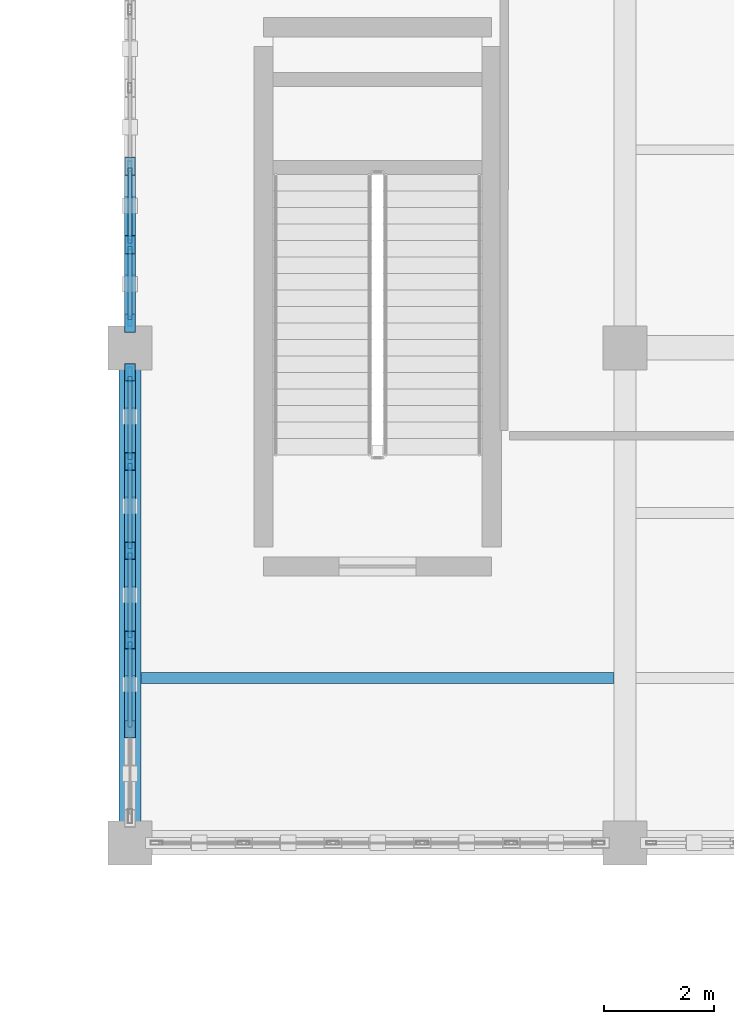
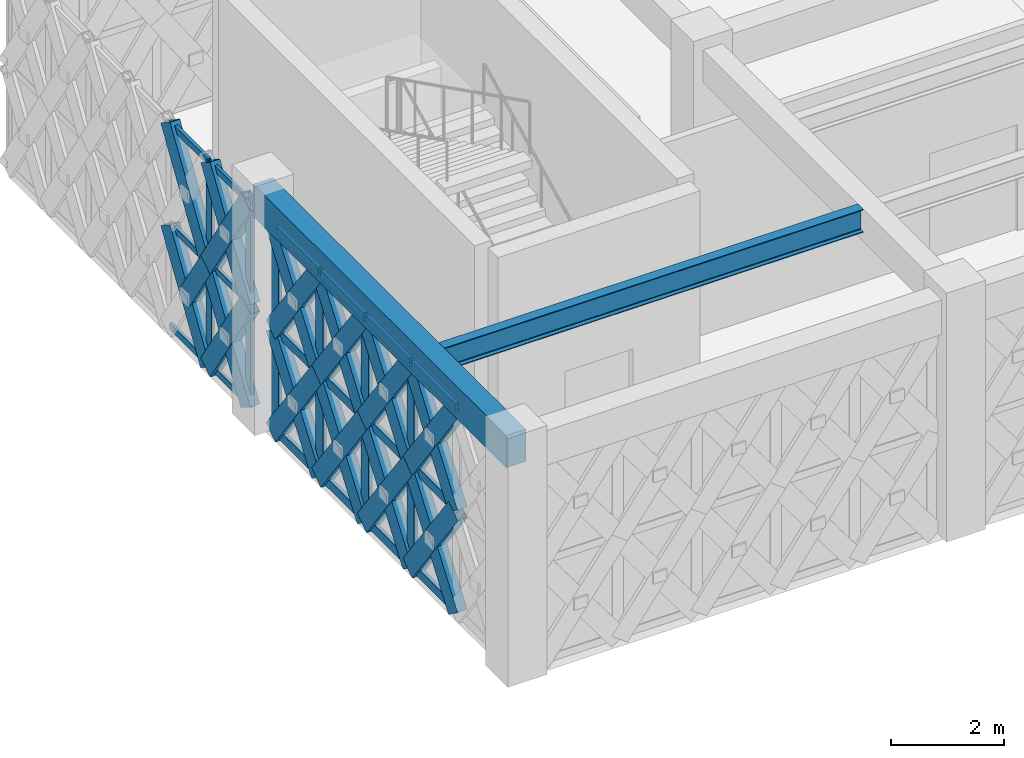
# One storey, part 32 of 86: 57 members, 2 beams, 2 elements without a shape of their own.
"""IFC4 building model written with IfcOpenShell, lengths in metres."""

from ifc_helpers import new_model, si_unit, direction, frame, origin, origin_2d, place, context, subcontext, project, spatial, rectangle, hollow_rectangle, i_section, extrude, material, material_profile, profile_set, type_object, element, aggregate, save


model = new_model("IFC4")

# Units and contexts
model_context = context("Model", 3, precision=1e-05, world=origin(), true_north=direction((0.0, 1.0)))
body_context = subcontext(model_context, "Body", "Model", "MODEL_VIEW")
ifc_project = project(units=[si_unit("LENGTHUNIT", "METRE"), si_unit("AREAUNIT", "SQUARE_METRE"), si_unit("VOLUMEUNIT", "CUBIC_METRE"), si_unit("PLANEANGLEUNIT", "RADIAN"), si_unit("MASSUNIT", "GRAM", prefix="KILO")], contexts=[model_context])

# Site, building, storey
site_placement = place(None, origin())
site = spatial("IfcSite", under=ifc_project, at=site_placement, CompositionType="ELEMENT")
building_placement = place(site_placement, origin())
building = spatial("IfcBuilding", under=site, at=building_placement, Name="Haizhuo Lancet Aquarium", CompositionType="ELEMENT")
storey_placement = place(building_placement, frame((0.0, 0.0, 16.199951171875)))
storey = spatial("IfcBuildingStorey", under=building, at=storey_placement, Name="L03", CompositionType="ELEMENT", Elevation=16.199951171875)

# Beam
ifc_material_1 = material(Name="Concrete C40/50", Category="concrete")
ifc_material_profile_1 = material_profile(ifc_material_1, rectangle(XDim=0.39990234375, YDim=0.699951171875, at=origin_2d()), Name="RC-BM 400x700")
ifc_profile_set_1 = profile_set([ifc_material_profile_1], Name="Concrete C40/50")
beam_type_1 = type_object("IfcBeamType", Name="BM-RC-400x700", PredefinedType="BEAM", material=ifc_profile_set_1)
beam_1_placement = place(storey_placement, frame((-27.0, 36.0, 4.800048828125), z_axis=(0.0, 1.0, 0.0), x_axis=(-1.0, 0.0, 0.0)))
element("IfcBeam", 1, at=beam_1_placement, inside=storey, type_object=beam_type_1, Name="L03 V5 primary girder BM-L03-V5-001", PredefinedType="BEAM", context=body_context, shape_type="SweptSolid", body=[
    extrude(rectangle(XDim=0.39990234375, YDim=0.699951171875, at=origin_2d()), origin(), (0.0, 0.0, 1.0), 9.0),
])

# Curtain wall, members
ifc_material_2 = material(Name="Aluminium 6063-T6", Category="aluminium")
curtain_wall_type_1 = type_object("IfcCurtainWallType", Name="CWD-8560x4450", PredefinedType="NOTDEFINED", material=ifc_material_2)
curtain_wall_1_placement = place(storey_placement, origin())
curtain_wall_1 = element("IfcCurtainWall", 2, at=curtain_wall_1_placement, inside=storey, type_object=curtain_wall_type_1, Name="L03 curtain wall CW-V5-L03-175", PredefinedType="NOTDEFINED")
ifc_material_profile_2 = material_profile(ifc_material_2, hollow_rectangle(XDim=0.06494140625, YDim=0.179931640625, WallThickness=0.00390625, at=origin_2d()), Name="ALU-M 65x180x4")
ifc_profile_set_2 = profile_set([ifc_material_profile_2], Name="Aluminium 6063-T6")
member_type_1 = type_object("IfcMemberType", Name="CW-MUL-1", PredefinedType="MULLION", material=ifc_profile_set_2)
member_1_placement = place(storey_placement, frame((-27.0, 45.47705078125, 0.0), z_axis=(0.0, 0.0, 1.0), x_axis=(-1.0, 0.0, 0.0)))
member_1 = element("IfcMember", 3, at=member_1_placement, type_object=member_type_1, Name="CWD-85x44 mullion 1", PredefinedType="MULLION", context=body_context, shape_type="SweptSolid", body=[
    extrude(hollow_rectangle(XDim=0.06494140625, YDim=0.179931640625, WallThickness=0.00390625, at=origin_2d()), origin(), (0.0, 0.0, 1.0), 4.449951171875),
])
member_2_placement = place(storey_placement, frame((-27.0, 46.87109375, 0.0), z_axis=(0.0, 0.0, 1.0), x_axis=(-1.0, 0.0, 0.0)))
member_2 = element("IfcMember", 4, at=member_2_placement, type_object=member_type_1, Name="CWD-85x44 mullion 2", PredefinedType="MULLION", context=body_context, shape_type="SweptSolid", body=[
    extrude(hollow_rectangle(XDim=0.06494140625, YDim=0.179931640625, WallThickness=0.00390625, at=origin_2d()), origin(), (0.0, 0.0, 1.0), 4.449951171875),
])

curtain_wall_type_2 = type_object("IfcCurtainWallType", Name="CWD-8110x4450", PredefinedType="NOTDEFINED", material=ifc_material_2)
curtain_wall_2_placement = place(storey_placement, origin())
curtain_wall_2 = element("IfcCurtainWall", 5, at=curtain_wall_2_placement, inside=storey, type_object=curtain_wall_type_2, Name="L03 curtain wall CW-V5-L03-174", PredefinedType="NOTDEFINED")
ifc_material_profile_3 = material_profile(ifc_material_2, hollow_rectangle(XDim=0.080078125, YDim=0.260009765625, WallThickness=0.0048828125, at=origin_2d()), Name="ALU-M 80x260x5")
ifc_profile_set_3 = profile_set([ifc_material_profile_3], Name="Aluminium 6063-T6")
member_type_2 = type_object("IfcMemberType", Name="CW-MUL-3", PredefinedType="MULLION", material=ifc_profile_set_3)
member_3_placement = place(storey_placement, frame((-27.0, 39.68896484375, 0.0), z_axis=(0.0, 0.0, 1.0), x_axis=(-1.0, 0.0, 0.0)))
member_3 = element("IfcMember", 6, at=member_3_placement, type_object=member_type_2, Name="CWD-81x44 mullion 3", PredefinedType="MULLION", context=body_context, shape_type="SweptSolid", body=[
    extrude(hollow_rectangle(XDim=0.080078125, YDim=0.260009765625, WallThickness=0.0048828125, at=origin_2d()), origin(), (0.0, 0.0, 1.0), 4.449951171875),
])
member_4_placement = place(storey_placement, frame((-27.0, 41.31103515625, 0.0), z_axis=(0.0, 0.0, 1.0), x_axis=(-1.0, 0.0, 0.0)))
member_4 = element("IfcMember", 7, at=member_4_placement, type_object=member_type_2, Name="CWD-81x44 mullion 4", PredefinedType="MULLION", context=body_context, shape_type="SweptSolid", body=[
    extrude(hollow_rectangle(XDim=0.080078125, YDim=0.260009765625, WallThickness=0.0048828125, at=origin_2d()), origin(), (0.0, 0.0, 1.0), 4.449951171875),
])
member_5_placement = place(storey_placement, frame((-27.0, 42.93310546875, 0.0), z_axis=(0.0, 0.0, 1.0), x_axis=(-1.0, 0.0, 0.0)))
member_5 = element("IfcMember", 8, at=member_5_placement, type_object=member_type_2, Name="CWD-81x44 mullion 5", PredefinedType="MULLION", context=body_context, shape_type="SweptSolid", body=[
    extrude(hollow_rectangle(XDim=0.080078125, YDim=0.260009765625, WallThickness=0.0048828125, at=origin_2d()), origin(), (0.0, 0.0, 1.0), 4.449951171875),
])
member_6_placement = place(storey_placement, frame((-27.0, 44.514892578125, 0.0), z_axis=(0.0, 0.0, 1.0), x_axis=(-1.0, 0.0, 0.0)))
member_6 = element("IfcMember", 9, at=member_6_placement, type_object=member_type_2, Name="CWD-81x44 mullion 6", PredefinedType="MULLION", context=body_context, shape_type="SweptSolid", body=[
    extrude(hollow_rectangle(XDim=0.080078125, YDim=0.260009765625, WallThickness=0.0048828125, at=origin_2d()), origin(), (0.0, 0.0, 1.0), 4.449951171875),
])

# Member
ifc_material_profile_4 = material_profile(ifc_material_2, hollow_rectangle(XDim=0.06494140625, YDim=0.139892578125, WallThickness=0.00390625, at=origin_2d()), Name="ALU-T 65x140x4")
ifc_profile_set_4 = profile_set([ifc_material_profile_4], Name="Aluminium 6063-T6")
member_type_3 = type_object("IfcMemberType", Name="CW-TRN-1", PredefinedType="NOTDEFINED", material=ifc_profile_set_4)
member_7_placement = place(storey_placement, frame((-27.0, 45.510009765625, 0.031982421875), z_axis=(0.0, 1.0, 0.0), x_axis=(-1.0, 0.0, 0.0)))
member_7 = element("IfcMember", 10, at=member_7_placement, type_object=member_type_3, Name="CWD-85x44 transom 1.1", ObjectType="TRANSOM", PredefinedType="USERDEFINED", context=body_context, shape_type="SweptSolid", body=[
    extrude(hollow_rectangle(XDim=0.06494140625, YDim=0.139892578125, WallThickness=0.00390625, at=origin_2d()), origin(), (0.0, 0.0, 1.0), 1.327880859375),
])

member_8_placement = place(storey_placement, frame((-27.0, 45.510009765625, 2.22509765625), z_axis=(0.0, 1.0, 0.0), x_axis=(-1.0, 0.0, 0.0)))
member_8 = element("IfcMember", 11, at=member_8_placement, type_object=member_type_3, Name="CWD-85x44 transom 1.2", ObjectType="TRANSOM", PredefinedType="USERDEFINED", context=body_context, shape_type="SweptSolid", body=[
    extrude(hollow_rectangle(XDim=0.06494140625, YDim=0.139892578125, WallThickness=0.00390625, at=origin_2d()), origin(), (0.0, 0.0, 1.0), 1.327880859375),
])

member_9_placement = place(storey_placement, frame((-27.0, 45.510009765625, 4.4169921875), z_axis=(0.0, 1.0, 0.0), x_axis=(-1.0, 0.0, 0.0)))
member_9 = element("IfcMember", 12, at=member_9_placement, type_object=member_type_3, Name="CWD-85x44 transom 1.3", ObjectType="TRANSOM", PredefinedType="USERDEFINED", context=body_context, shape_type="SweptSolid", body=[
    extrude(hollow_rectangle(XDim=0.06494140625, YDim=0.139892578125, WallThickness=0.00390625, at=origin_2d()), origin(), (0.0, 0.0, 1.0), 1.327880859375),
])

member_10_placement = place(storey_placement, frame((-27.0, 46.903076171875, 0.031982421875), z_axis=(0.0, 1.0, 0.0), x_axis=(-1.0, 0.0, 0.0)))
member_10 = element("IfcMember", 13, at=member_10_placement, type_object=member_type_3, Name="CWD-85x44 transom 2.1", ObjectType="TRANSOM", PredefinedType="USERDEFINED", context=body_context, shape_type="SweptSolid", body=[
    extrude(hollow_rectangle(XDim=0.06494140625, YDim=0.139892578125, WallThickness=0.00390625, at=origin_2d()), origin(), (0.0, 0.0, 1.0), 1.36083984375),
])

member_11_placement = place(storey_placement, frame((-27.0, 46.903076171875, 2.22509765625), z_axis=(0.0, 1.0, 0.0), x_axis=(-1.0, 0.0, 0.0)))
member_11 = element("IfcMember", 14, at=member_11_placement, type_object=member_type_3, Name="CWD-85x44 transom 2.2", ObjectType="TRANSOM", PredefinedType="USERDEFINED", context=body_context, shape_type="SweptSolid", body=[
    extrude(hollow_rectangle(XDim=0.06494140625, YDim=0.139892578125, WallThickness=0.00390625, at=origin_2d()), origin(), (0.0, 0.0, 1.0), 1.36083984375),
])

member_12_placement = place(storey_placement, frame((-27.0, 46.903076171875, 4.4169921875), z_axis=(0.0, 1.0, 0.0), x_axis=(-1.0, 0.0, 0.0)))
member_12 = element("IfcMember", 15, at=member_12_placement, type_object=member_type_3, Name="CWD-85x44 transom 2.3", ObjectType="TRANSOM", PredefinedType="USERDEFINED", context=body_context, shape_type="SweptSolid", body=[
    extrude(hollow_rectangle(XDim=0.06494140625, YDim=0.139892578125, WallThickness=0.00390625, at=origin_2d()), origin(), (0.0, 0.0, 1.0), 1.36083984375),
])

aggregate(curtain_wall_1, [member_1, member_2, member_7, member_8, member_9, member_10, member_11, member_12])

ifc_material_profile_5 = material_profile(ifc_material_2, hollow_rectangle(XDim=0.080078125, YDim=0.18994140625, WallThickness=0.0048828125, at=origin_2d()), Name="ALU-T 80x190x5")
ifc_profile_set_5 = profile_set([ifc_material_profile_5], Name="Aluminium 6063-T6")
member_type_4 = type_object("IfcMemberType", Name="CW-TRN-3", PredefinedType="NOTDEFINED", material=ifc_profile_set_5)
member_13_placement = place(storey_placement, frame((-27.0, 38.10693359375, 0.0400390625), z_axis=(0.0, 1.0, 0.0), x_axis=(-1.0, 0.0, 0.0)))
member_13 = element("IfcMember", 16, at=member_13_placement, type_object=member_type_4, Name="CWD-81x44 transom 2.1", ObjectType="TRANSOM", PredefinedType="USERDEFINED", context=body_context, shape_type="SweptSolid", body=[
    extrude(hollow_rectangle(XDim=0.080078125, YDim=0.18994140625, WallThickness=0.0048828125, at=origin_2d()), origin(), (0.0, 0.0, 1.0), 1.5419921875),
])

member_14_placement = place(storey_placement, frame((-27.0, 38.10693359375, 2.22509765625), z_axis=(0.0, 1.0, 0.0), x_axis=(-1.0, 0.0, 0.0)))
member_14 = element("IfcMember", 17, at=member_14_placement, type_object=member_type_4, Name="CWD-81x44 transom 2.2", ObjectType="TRANSOM", PredefinedType="USERDEFINED", context=body_context, shape_type="SweptSolid", body=[
    extrude(hollow_rectangle(XDim=0.080078125, YDim=0.18994140625, WallThickness=0.0048828125, at=origin_2d()), origin(), (0.0, 0.0, 1.0), 1.5419921875),
])

member_15_placement = place(storey_placement, frame((-27.0, 38.10693359375, 4.41015625), z_axis=(0.0, 1.0, 0.0), x_axis=(-1.0, 0.0, 0.0)))
member_15 = element("IfcMember", 18, at=member_15_placement, type_object=member_type_4, Name="CWD-81x44 transom 2.3", ObjectType="TRANSOM", PredefinedType="USERDEFINED", context=body_context, shape_type="SweptSolid", body=[
    extrude(hollow_rectangle(XDim=0.080078125, YDim=0.18994140625, WallThickness=0.0048828125, at=origin_2d()), origin(), (0.0, 0.0, 1.0), 1.5419921875),
])

member_16_placement = place(storey_placement, frame((-27.0, 39.72900390625, 0.0400390625), z_axis=(0.0, 1.0, 0.0), x_axis=(-1.0, 0.0, 0.0)))
member_16 = element("IfcMember", 19, at=member_16_placement, type_object=member_type_4, Name="CWD-81x44 transom 3.1", ObjectType="TRANSOM", PredefinedType="USERDEFINED", context=body_context, shape_type="SweptSolid", body=[
    extrude(hollow_rectangle(XDim=0.080078125, YDim=0.18994140625, WallThickness=0.0048828125, at=origin_2d()), origin(), (0.0, 0.0, 1.0), 1.5419921875),
])

member_17_placement = place(storey_placement, frame((-27.0, 39.72900390625, 2.22509765625), z_axis=(0.0, 1.0, 0.0), x_axis=(-1.0, 0.0, 0.0)))
member_17 = element("IfcMember", 20, at=member_17_placement, type_object=member_type_4, Name="CWD-81x44 transom 3.2", ObjectType="TRANSOM", PredefinedType="USERDEFINED", context=body_context, shape_type="SweptSolid", body=[
    extrude(hollow_rectangle(XDim=0.080078125, YDim=0.18994140625, WallThickness=0.0048828125, at=origin_2d()), origin(), (0.0, 0.0, 1.0), 1.5419921875),
])

member_18_placement = place(storey_placement, frame((-27.0, 39.72900390625, 4.41015625), z_axis=(0.0, 1.0, 0.0), x_axis=(-1.0, 0.0, 0.0)))
member_18 = element("IfcMember", 21, at=member_18_placement, type_object=member_type_4, Name="CWD-81x44 transom 3.3", ObjectType="TRANSOM", PredefinedType="USERDEFINED", context=body_context, shape_type="SweptSolid", body=[
    extrude(hollow_rectangle(XDim=0.080078125, YDim=0.18994140625, WallThickness=0.0048828125, at=origin_2d()), origin(), (0.0, 0.0, 1.0), 1.5419921875),
])

member_19_placement = place(storey_placement, frame((-27.0, 41.35107421875, 0.0400390625), z_axis=(0.0, 1.0, 0.0), x_axis=(-1.0, 0.0, 0.0)))
member_19 = element("IfcMember", 22, at=member_19_placement, type_object=member_type_4, Name="CWD-81x44 transom 4.1", ObjectType="TRANSOM", PredefinedType="USERDEFINED", context=body_context, shape_type="SweptSolid", body=[
    extrude(hollow_rectangle(XDim=0.080078125, YDim=0.18994140625, WallThickness=0.0048828125, at=origin_2d()), origin(), (0.0, 0.0, 1.0), 1.5419921875),
])

member_20_placement = place(storey_placement, frame((-27.0, 41.35107421875, 2.22509765625), z_axis=(0.0, 1.0, 0.0), x_axis=(-1.0, 0.0, 0.0)))
member_20 = element("IfcMember", 23, at=member_20_placement, type_object=member_type_4, Name="CWD-81x44 transom 4.2", ObjectType="TRANSOM", PredefinedType="USERDEFINED", context=body_context, shape_type="SweptSolid", body=[
    extrude(hollow_rectangle(XDim=0.080078125, YDim=0.18994140625, WallThickness=0.0048828125, at=origin_2d()), origin(), (0.0, 0.0, 1.0), 1.5419921875),
])

member_21_placement = place(storey_placement, frame((-27.0, 41.35107421875, 4.41015625), z_axis=(0.0, 1.0, 0.0), x_axis=(-1.0, 0.0, 0.0)))
member_21 = element("IfcMember", 24, at=member_21_placement, type_object=member_type_4, Name="CWD-81x44 transom 4.3", ObjectType="TRANSOM", PredefinedType="USERDEFINED", context=body_context, shape_type="SweptSolid", body=[
    extrude(hollow_rectangle(XDim=0.080078125, YDim=0.18994140625, WallThickness=0.0048828125, at=origin_2d()), origin(), (0.0, 0.0, 1.0), 1.5419921875),
])

member_22_placement = place(storey_placement, frame((-27.0, 42.972900390625, 0.0400390625), z_axis=(0.0, 1.0, 0.0), x_axis=(-1.0, 0.0, 0.0)))
member_22 = element("IfcMember", 25, at=member_22_placement, type_object=member_type_4, Name="CWD-81x44 transom 5.1", ObjectType="TRANSOM", PredefinedType="USERDEFINED", context=body_context, shape_type="SweptSolid", body=[
    extrude(hollow_rectangle(XDim=0.080078125, YDim=0.18994140625, WallThickness=0.0048828125, at=origin_2d()), origin(), (0.0, 0.0, 1.0), 1.502197265625),
])

member_23_placement = place(storey_placement, frame((-27.0, 42.972900390625, 2.22509765625), z_axis=(0.0, 1.0, 0.0), x_axis=(-1.0, 0.0, 0.0)))
member_23 = element("IfcMember", 26, at=member_23_placement, type_object=member_type_4, Name="CWD-81x44 transom 5.2", ObjectType="TRANSOM", PredefinedType="USERDEFINED", context=body_context, shape_type="SweptSolid", body=[
    extrude(hollow_rectangle(XDim=0.080078125, YDim=0.18994140625, WallThickness=0.0048828125, at=origin_2d()), origin(), (0.0, 0.0, 1.0), 1.502197265625),
])

member_24_placement = place(storey_placement, frame((-27.0, 42.972900390625, 4.41015625), z_axis=(0.0, 1.0, 0.0), x_axis=(-1.0, 0.0, 0.0)))
member_24 = element("IfcMember", 27, at=member_24_placement, type_object=member_type_4, Name="CWD-81x44 transom 5.3", ObjectType="TRANSOM", PredefinedType="USERDEFINED", context=body_context, shape_type="SweptSolid", body=[
    extrude(hollow_rectangle(XDim=0.080078125, YDim=0.18994140625, WallThickness=0.0048828125, at=origin_2d()), origin(), (0.0, 0.0, 1.0), 1.502197265625),
])

aggregate(curtain_wall_2, [member_3, member_4, member_5, member_6, member_13, member_14, member_15, member_16, member_17, member_18, member_19, member_20, member_21, member_22, member_23, member_24])

# Beam
ifc_material_3 = material(Name="Steel S355", Category="steel")
ifc_material_profile_6 = material_profile(ifc_material_3, i_section(OverallWidth=0.199951171875, OverallDepth=0.5, WebThickness=0.010009765625, FlangeThickness=0.01611328125, FilletRadius=0.02001953125, at=origin_2d()), Name="HN 500x200x10x16")
ifc_profile_set_6 = profile_set([ifc_material_profile_6], Name="Steel S355")
beam_type_2 = type_object("IfcBeamType", Name="JST-ST-HN500", PredefinedType="JOIST", material=ifc_profile_set_6)
beam_2_placement = place(storey_placement, frame((-26.800048828125, 39.0, 4.900146484375), z_axis=(1.0, 0.0, 0.0), x_axis=(0.0, 1.0, 0.0)))
element("IfcBeam", 28, at=beam_2_placement, inside=storey, type_object=beam_type_2, Name="L03 V5 secondary floor joist 1", PredefinedType="JOIST", context=body_context, shape_type="SweptSolid", body=[
    extrude(i_section(OverallWidth=0.199951171875, OverallDepth=0.5, WebThickness=0.010009765625, FlangeThickness=0.01611328125, FilletRadius=0.02001953125, at=origin_2d()), origin(), (0.0, 0.0, 1.0), 8.60009765625),
])

# Members
ifc_material_profile_7 = material_profile(ifc_material_3, hollow_rectangle(XDim=0.199951171875, YDim=0.39990234375, WallThickness=0.011962890625, at=origin_2d()), Name="RHS 200x400x12")
ifc_profile_set_7 = profile_set([ifc_material_profile_7], Name="Steel S355")
member_type_5 = type_object("IfcMemberType", Name="MEM-LB-RHS200x400", PredefinedType="BRACE", material=ifc_profile_set_7)
member_25_placement = place(storey_placement, frame((-27.0, 38.06689453125, 0.0), z_axis=(0.0, 0.589078088594, 0.808076113704), x_axis=(-1.0, 0.0, 0.0)))
element("IfcMember", 29, at=member_25_placement, inside=storey, type_object=member_type_5, Name="Gothic lancet continuous diagonal brace CW-V5-L03-174 3A", PredefinedType="BRACE", context=body_context, shape_type="SweptSolid", body=[
    extrude(hollow_rectangle(XDim=0.199951171875, YDim=0.39990234375, WallThickness=0.011962890625, at=origin_2d()), origin(), (0.0, 0.0, 1.0), 2.753662109375),
])
member_26_placement = place(storey_placement, frame((-27.0, 39.68896484375, 0.0), z_axis=(0.0, -0.589246945864, 0.807952991695), x_axis=(1.0, 0.0, 0.0)))
element("IfcMember", 30, at=member_26_placement, inside=storey, type_object=member_type_5, Name="Gothic lancet split diagonal brace CW-V5-L03-174 3B1", PredefinedType="BRACE", context=body_context, shape_type="SweptSolid", body=[
    extrude(hollow_rectangle(XDim=0.199951171875, YDim=0.39990234375, WallThickness=0.011962890625, at=origin_2d()), origin(), (0.0, 0.0, 1.0), 1.37646484375),
])
member_27_placement = place(storey_placement, frame((-27.0, 38.8779296875, 1.112060546875), z_axis=(0.0, -0.588909302377, 0.808199129902), x_axis=(1.0, 0.0, 0.0)))
element("IfcMember", 31, at=member_27_placement, inside=storey, type_object=member_type_5, Name="Gothic lancet split diagonal brace CW-V5-L03-174 3B2", PredefinedType="BRACE", context=body_context, shape_type="SweptSolid", body=[
    extrude(hollow_rectangle(XDim=0.199951171875, YDim=0.39990234375, WallThickness=0.011962890625, at=origin_2d()), origin(), (0.0, 0.0, 1.0), 1.377197265625),
])
member_28_placement = place(storey_placement, frame((-27.0, 38.06689453125, 2.22509765625), z_axis=(0.0, 0.58912029625, 0.808045343125), x_axis=(-1.0, 0.0, 0.0)))
element("IfcMember", 32, at=member_28_placement, inside=storey, type_object=member_type_5, Name="Gothic lancet continuous diagonal brace CW-V5-L03-174 4A", PredefinedType="BRACE", context=body_context, shape_type="SweptSolid", body=[
    extrude(hollow_rectangle(XDim=0.199951171875, YDim=0.39990234375, WallThickness=0.011962890625, at=origin_2d()), origin(), (0.0, 0.0, 1.0), 2.75341796875),
])
member_29_placement = place(storey_placement, frame((-27.0, 39.68896484375, 2.22509765625), z_axis=(0.0, -0.588909302377, 0.808199129902), x_axis=(1.0, 0.0, 0.0)))
element("IfcMember", 33, at=member_29_placement, inside=storey, type_object=member_type_5, Name="Gothic lancet split diagonal brace CW-V5-L03-174 4B1", PredefinedType="BRACE", context=body_context, shape_type="SweptSolid", body=[
    extrude(hollow_rectangle(XDim=0.199951171875, YDim=0.39990234375, WallThickness=0.011962890625, at=origin_2d()), origin(), (0.0, 0.0, 1.0), 1.377197265625),
])
member_30_placement = place(storey_placement, frame((-27.0, 38.8779296875, 3.338134765625), z_axis=(0.0, -0.589331401149, 0.80789139098), x_axis=(1.0, 0.0, 0.0)))
element("IfcMember", 34, at=member_30_placement, inside=storey, type_object=member_type_5, Name="Gothic lancet split diagonal brace CW-V5-L03-174 4B2", PredefinedType="BRACE", context=body_context, shape_type="SweptSolid", body=[
    extrude(hollow_rectangle(XDim=0.199951171875, YDim=0.39990234375, WallThickness=0.011962890625, at=origin_2d()), origin(), (0.0, 0.0, 1.0), 1.376220703125),
])
member_31_placement = place(storey_placement, frame((-27.0, 39.68896484375, 0.0), z_axis=(0.0, 0.589078088594, 0.808076113704), x_axis=(-1.0, 0.0, 0.0)))
element("IfcMember", 35, at=member_31_placement, inside=storey, type_object=member_type_5, Name="Gothic lancet continuous diagonal brace CW-V5-L03-174 5A", PredefinedType="BRACE", context=body_context, shape_type="SweptSolid", body=[
    extrude(hollow_rectangle(XDim=0.199951171875, YDim=0.39990234375, WallThickness=0.011962890625, at=origin_2d()), origin(), (0.0, 0.0, 1.0), 2.753662109375),
])
member_32_placement = place(storey_placement, frame((-27.0, 41.31103515625, 0.0), z_axis=(0.0, -0.589246945864, 0.807952991695), x_axis=(1.0, 0.0, 0.0)))
element("IfcMember", 36, at=member_32_placement, inside=storey, type_object=member_type_5, Name="Gothic lancet split diagonal brace CW-V5-L03-174 5B1", PredefinedType="BRACE", context=body_context, shape_type="SweptSolid", body=[
    extrude(hollow_rectangle(XDim=0.199951171875, YDim=0.39990234375, WallThickness=0.011962890625, at=origin_2d()), origin(), (0.0, 0.0, 1.0), 1.37646484375),
])
member_33_placement = place(storey_placement, frame((-27.0, 40.5, 1.112060546875), z_axis=(0.0, -0.588909302377, 0.808199129902), x_axis=(1.0, 0.0, 0.0)))
element("IfcMember", 37, at=member_33_placement, inside=storey, type_object=member_type_5, Name="Gothic lancet split diagonal brace CW-V5-L03-174 5B2", PredefinedType="BRACE", context=body_context, shape_type="SweptSolid", body=[
    extrude(hollow_rectangle(XDim=0.199951171875, YDim=0.39990234375, WallThickness=0.011962890625, at=origin_2d()), origin(), (0.0, 0.0, 1.0), 1.377197265625),
])
member_34_placement = place(storey_placement, frame((-27.0, 39.68896484375, 2.22509765625), z_axis=(0.0, 0.58912029625, 0.808045343125), x_axis=(-1.0, 0.0, 0.0)))
element("IfcMember", 38, at=member_34_placement, inside=storey, type_object=member_type_5, Name="Gothic lancet continuous diagonal brace CW-V5-L03-174 6A", PredefinedType="BRACE", context=body_context, shape_type="SweptSolid", body=[
    extrude(hollow_rectangle(XDim=0.199951171875, YDim=0.39990234375, WallThickness=0.011962890625, at=origin_2d()), origin(), (0.0, 0.0, 1.0), 2.75341796875),
])
member_35_placement = place(storey_placement, frame((-27.0, 41.31103515625, 2.22509765625), z_axis=(0.0, -0.588909302377, 0.808199129902), x_axis=(1.0, 0.0, 0.0)))
element("IfcMember", 39, at=member_35_placement, inside=storey, type_object=member_type_5, Name="Gothic lancet split diagonal brace CW-V5-L03-174 6B1", PredefinedType="BRACE", context=body_context, shape_type="SweptSolid", body=[
    extrude(hollow_rectangle(XDim=0.199951171875, YDim=0.39990234375, WallThickness=0.011962890625, at=origin_2d()), origin(), (0.0, 0.0, 1.0), 1.377197265625),
])
member_36_placement = place(storey_placement, frame((-27.0, 40.5, 3.338134765625), z_axis=(0.0, -0.589331401149, 0.80789139098), x_axis=(1.0, 0.0, 0.0)))
element("IfcMember", 40, at=member_36_placement, inside=storey, type_object=member_type_5, Name="Gothic lancet split diagonal brace CW-V5-L03-174 6B2", PredefinedType="BRACE", context=body_context, shape_type="SweptSolid", body=[
    extrude(hollow_rectangle(XDim=0.199951171875, YDim=0.39990234375, WallThickness=0.011962890625, at=origin_2d()), origin(), (0.0, 0.0, 1.0), 1.376220703125),
])
member_37_placement = place(storey_placement, frame((-27.0, 41.31103515625, 0.0), z_axis=(0.0, 0.589078088594, 0.808076113704), x_axis=(-1.0, 0.0, 0.0)))
element("IfcMember", 41, at=member_37_placement, inside=storey, type_object=member_type_5, Name="Gothic lancet continuous diagonal brace CW-V5-L03-174 7A", PredefinedType="BRACE", context=body_context, shape_type="SweptSolid", body=[
    extrude(hollow_rectangle(XDim=0.199951171875, YDim=0.39990234375, WallThickness=0.011962890625, at=origin_2d()), origin(), (0.0, 0.0, 1.0), 2.753662109375),
])
member_38_placement = place(storey_placement, frame((-27.0, 42.93310546875, 0.0), z_axis=(0.0, -0.589246945864, 0.807952991695), x_axis=(1.0, 0.0, 0.0)))
element("IfcMember", 42, at=member_38_placement, inside=storey, type_object=member_type_5, Name="Gothic lancet split diagonal brace CW-V5-L03-174 7B1", PredefinedType="BRACE", context=body_context, shape_type="SweptSolid", body=[
    extrude(hollow_rectangle(XDim=0.199951171875, YDim=0.39990234375, WallThickness=0.011962890625, at=origin_2d()), origin(), (0.0, 0.0, 1.0), 1.37646484375),
])
member_39_placement = place(storey_placement, frame((-27.0, 42.1220703125, 1.112060546875), z_axis=(0.0, -0.588909302377, 0.808199129902), x_axis=(1.0, 0.0, 0.0)))
element("IfcMember", 43, at=member_39_placement, inside=storey, type_object=member_type_5, Name="Gothic lancet split diagonal brace CW-V5-L03-174 7B2", PredefinedType="BRACE", context=body_context, shape_type="SweptSolid", body=[
    extrude(hollow_rectangle(XDim=0.199951171875, YDim=0.39990234375, WallThickness=0.011962890625, at=origin_2d()), origin(), (0.0, 0.0, 1.0), 1.377197265625),
])
member_40_placement = place(storey_placement, frame((-27.0, 41.31103515625, 2.22509765625), z_axis=(0.0, 0.58912029625, 0.808045343125), x_axis=(-1.0, 0.0, 0.0)))
element("IfcMember", 44, at=member_40_placement, inside=storey, type_object=member_type_5, Name="Gothic lancet continuous diagonal brace CW-V5-L03-174 8A", PredefinedType="BRACE", context=body_context, shape_type="SweptSolid", body=[
    extrude(hollow_rectangle(XDim=0.199951171875, YDim=0.39990234375, WallThickness=0.011962890625, at=origin_2d()), origin(), (0.0, 0.0, 1.0), 2.75341796875),
])
member_41_placement = place(storey_placement, frame((-27.0, 42.93310546875, 2.22509765625), z_axis=(0.0, -0.588909302377, 0.808199129902), x_axis=(1.0, 0.0, 0.0)))
element("IfcMember", 45, at=member_41_placement, inside=storey, type_object=member_type_5, Name="Gothic lancet split diagonal brace CW-V5-L03-174 8B1", PredefinedType="BRACE", context=body_context, shape_type="SweptSolid", body=[
    extrude(hollow_rectangle(XDim=0.199951171875, YDim=0.39990234375, WallThickness=0.011962890625, at=origin_2d()), origin(), (0.0, 0.0, 1.0), 1.377197265625),
])
member_42_placement = place(storey_placement, frame((-27.0, 42.1220703125, 3.338134765625), z_axis=(0.0, -0.589331401149, 0.80789139098), x_axis=(1.0, 0.0, 0.0)))
element("IfcMember", 46, at=member_42_placement, inside=storey, type_object=member_type_5, Name="Gothic lancet split diagonal brace CW-V5-L03-174 8B2", PredefinedType="BRACE", context=body_context, shape_type="SweptSolid", body=[
    extrude(hollow_rectangle(XDim=0.199951171875, YDim=0.39990234375, WallThickness=0.011962890625, at=origin_2d()), origin(), (0.0, 0.0, 1.0), 1.376220703125),
])
member_43_placement = place(storey_placement, frame((-27.0, 42.93310546875, 0.0), z_axis=(0.0, 0.589020188162, 0.808118319269), x_axis=(-1.0, 0.0, 0.0)))
element("IfcMember", 47, at=member_43_placement, inside=storey, type_object=member_type_5, Name="Gothic lancet continuous diagonal brace CW-V5-L03-174 9A", PredefinedType="BRACE", context=body_context, shape_type="SweptSolid", body=[
    extrude(hollow_rectangle(XDim=0.199951171875, YDim=0.39990234375, WallThickness=0.011962890625, at=origin_2d()), origin(), (0.0, 0.0, 1.0), 2.75341796875),
])
member_44_placement = place(storey_placement, frame((-27.0, 44.554931640625, 0.0), z_axis=(0.0, -0.589246945864, 0.807952991695), x_axis=(1.0, 0.0, 0.0)))
element("IfcMember", 48, at=member_44_placement, inside=storey, type_object=member_type_5, Name="Gothic lancet split diagonal brace CW-V5-L03-174 9B1", PredefinedType="BRACE", context=body_context, shape_type="SweptSolid", body=[
    extrude(hollow_rectangle(XDim=0.199951171875, YDim=0.39990234375, WallThickness=0.011962890625, at=origin_2d()), origin(), (0.0, 0.0, 1.0), 1.37646484375),
])
member_45_placement = place(storey_placement, frame((-27.0, 43.743896484375, 1.112060546875), z_axis=(0.0, -0.588793490379, 0.808283505762), x_axis=(1.0, 0.0, 0.0)))
element("IfcMember", 49, at=member_45_placement, inside=storey, type_object=member_type_5, Name="Gothic lancet split diagonal brace CW-V5-L03-174 9B2", PredefinedType="BRACE", context=body_context, shape_type="SweptSolid", body=[
    extrude(hollow_rectangle(XDim=0.199951171875, YDim=0.39990234375, WallThickness=0.011962890625, at=origin_2d()), origin(), (0.0, 0.0, 1.0), 1.376953125),
])
member_46_placement = place(storey_placement, frame((-27.0, 42.93310546875, 2.22509765625), z_axis=(0.0, 0.589062396078, 0.808087553132), x_axis=(-1.0, 0.0, 0.0)))
element("IfcMember", 50, at=member_46_placement, inside=storey, type_object=member_type_5, Name="Gothic lancet continuous diagonal brace CW-V5-L03-174 10A", PredefinedType="BRACE", context=body_context, shape_type="SweptSolid", body=[
    extrude(hollow_rectangle(XDim=0.199951171875, YDim=0.39990234375, WallThickness=0.011962890625, at=origin_2d()), origin(), (0.0, 0.0, 1.0), 2.753173828125),
])
member_47_placement = place(storey_placement, frame((-27.0, 44.554931640625, 2.22509765625), z_axis=(0.0, -0.588909302377, 0.808199129902), x_axis=(1.0, 0.0, 0.0)))
element("IfcMember", 51, at=member_47_placement, inside=storey, type_object=member_type_5, Name="Gothic lancet split diagonal brace CW-V5-L03-174 10B1", PredefinedType="BRACE", context=body_context, shape_type="SweptSolid", body=[
    extrude(hollow_rectangle(XDim=0.199951171875, YDim=0.39990234375, WallThickness=0.011962890625, at=origin_2d()), origin(), (0.0, 0.0, 1.0), 1.377197265625),
])
member_48_placement = place(storey_placement, frame((-27.0, 43.743896484375, 3.338134765625), z_axis=(0.0, -0.58921559436, 0.807975855681), x_axis=(1.0, 0.0, 0.0)))
element("IfcMember", 52, at=member_48_placement, inside=storey, type_object=member_type_5, Name="Gothic lancet split diagonal brace CW-V5-L03-174 10B2", PredefinedType="BRACE", context=body_context, shape_type="SweptSolid", body=[
    extrude(hollow_rectangle(XDim=0.199951171875, YDim=0.39990234375, WallThickness=0.011962890625, at=origin_2d()), origin(), (0.0, 0.0, 1.0), 1.3759765625),
])
member_49_placement = place(storey_placement, frame((-27.0, 45.445068359375, 0.0), z_axis=(0.0, 0.539580492151, 0.841934019083), x_axis=(-1.0, 0.0, 0.0)))
element("IfcMember", 53, at=member_49_placement, inside=storey, type_object=member_type_5, Name="Gothic lancet continuous diagonal brace CW-V5-L03-175 1A", PredefinedType="BRACE", context=body_context, shape_type="SweptSolid", body=[
    extrude(hollow_rectangle(XDim=0.199951171875, YDim=0.39990234375, WallThickness=0.011962890625, at=origin_2d()), origin(), (0.0, 0.0, 1.0), 2.642822265625),
])
member_50_placement = place(storey_placement, frame((-27.0, 46.87109375, 0.0), z_axis=(0.0, -0.539813881097, 0.841784398629), x_axis=(1.0, 0.0, 0.0)))
element("IfcMember", 54, at=member_50_placement, inside=storey, type_object=member_type_5, Name="Gothic lancet split diagonal brace CW-V5-L03-175 1B1", PredefinedType="BRACE", context=body_context, shape_type="SweptSolid", body=[
    extrude(hollow_rectangle(XDim=0.199951171875, YDim=0.39990234375, WallThickness=0.011962890625, at=origin_2d()), origin(), (0.0, 0.0, 1.0), 1.321044921875),
])
member_51_placement = place(storey_placement, frame((-27.0, 46.157958984375, 1.112060546875), z_axis=(0.0, -0.539347183686, 0.842083496721), x_axis=(1.0, 0.0, 0.0)))
element("IfcMember", 55, at=member_51_placement, inside=storey, type_object=member_type_5, Name="Gothic lancet split diagonal brace CW-V5-L03-175 1B2", PredefinedType="BRACE", context=body_context, shape_type="SweptSolid", body=[
    extrude(hollow_rectangle(XDim=0.199951171875, YDim=0.39990234375, WallThickness=0.011962890625, at=origin_2d()), origin(), (0.0, 0.0, 1.0), 1.32177734375),
])
member_52_placement = place(storey_placement, frame((-27.0, 45.445068359375, 2.22509765625), z_axis=(0.0, 0.539622461301, 0.841907120328), x_axis=(-1.0, 0.0, 0.0)))
element("IfcMember", 56, at=member_52_placement, inside=storey, type_object=member_type_5, Name="Gothic lancet continuous diagonal brace CW-V5-L03-175 2A", PredefinedType="BRACE", context=body_context, shape_type="SweptSolid", body=[
    extrude(hollow_rectangle(XDim=0.199951171875, YDim=0.39990234375, WallThickness=0.011962890625, at=origin_2d()), origin(), (0.0, 0.0, 1.0), 2.642578125),
])
member_53_placement = place(storey_placement, frame((-27.0, 46.87109375, 2.22509765625), z_axis=(0.0, -0.539478141367, 0.841999605099), x_axis=(1.0, 0.0, 0.0)))
element("IfcMember", 57, at=member_53_placement, inside=storey, type_object=member_type_5, Name="Gothic lancet split diagonal brace CW-V5-L03-175 2B1", PredefinedType="BRACE", context=body_context, shape_type="SweptSolid", body=[
    extrude(hollow_rectangle(XDim=0.199951171875, YDim=0.39990234375, WallThickness=0.011962890625, at=origin_2d()), origin(), (0.0, 0.0, 1.0), 1.32177734375),
])
member_54_placement = place(storey_placement, frame((-27.0, 46.157958984375, 3.338134765625), z_axis=(0.0, -0.539766892056, 0.841814529597), x_axis=(1.0, 0.0, 0.0)))
element("IfcMember", 58, at=member_54_placement, inside=storey, type_object=member_type_5, Name="Gothic lancet split diagonal brace CW-V5-L03-175 2B2", PredefinedType="BRACE", context=body_context, shape_type="SweptSolid", body=[
    extrude(hollow_rectangle(XDim=0.199951171875, YDim=0.39990234375, WallThickness=0.011962890625, at=origin_2d()), origin(), (0.0, 0.0, 1.0), 1.32080078125),
])
member_55_placement = place(storey_placement, frame((-27.0, 46.87109375, 0.0), z_axis=(0.0, 0.539580492151, 0.841934019083), x_axis=(-1.0, 0.0, 0.0)))
element("IfcMember", 59, at=member_55_placement, inside=storey, type_object=member_type_5, Name="Gothic lancet continuous diagonal brace CW-V5-L03-175 3A", PredefinedType="BRACE", context=body_context, shape_type="SweptSolid", body=[
    extrude(hollow_rectangle(XDim=0.199951171875, YDim=0.39990234375, WallThickness=0.011962890625, at=origin_2d()), origin(), (0.0, 0.0, 1.0), 2.642822265625),
])
member_56_placement = place(storey_placement, frame((-27.0, 47.583984375, 1.112060546875), z_axis=(0.0, -0.539347183686, 0.842083496721), x_axis=(1.0, 0.0, 0.0)))
element("IfcMember", 60, at=member_56_placement, inside=storey, type_object=member_type_5, Name="Gothic lancet split diagonal brace CW-V5-L03-175 3B2", PredefinedType="BRACE", context=body_context, shape_type="SweptSolid", body=[
    extrude(hollow_rectangle(XDim=0.199951171875, YDim=0.39990234375, WallThickness=0.011962890625, at=origin_2d()), origin(), (0.0, 0.0, 1.0), 1.32177734375),
])
member_57_placement = place(storey_placement, frame((-27.0, 46.87109375, 2.22509765625), z_axis=(0.0, 0.539622461301, 0.841907120328), x_axis=(-1.0, 0.0, 0.0)))
element("IfcMember", 61, at=member_57_placement, inside=storey, type_object=member_type_5, Name="Gothic lancet continuous diagonal brace CW-V5-L03-175 4A", PredefinedType="BRACE", context=body_context, shape_type="SweptSolid", body=[
    extrude(hollow_rectangle(XDim=0.199951171875, YDim=0.39990234375, WallThickness=0.011962890625, at=origin_2d()), origin(), (0.0, 0.0, 1.0), 2.642578125),
])

save(model, "model.ifc")
